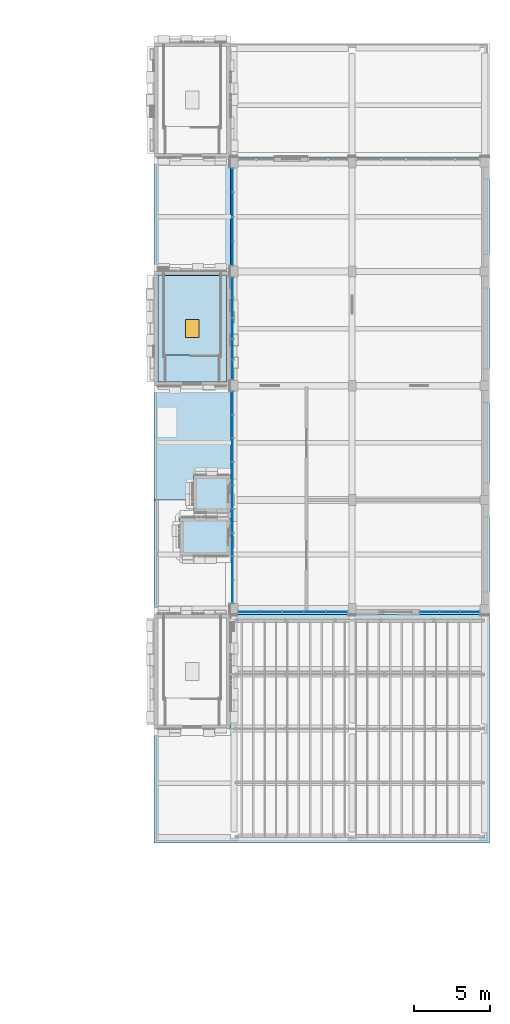
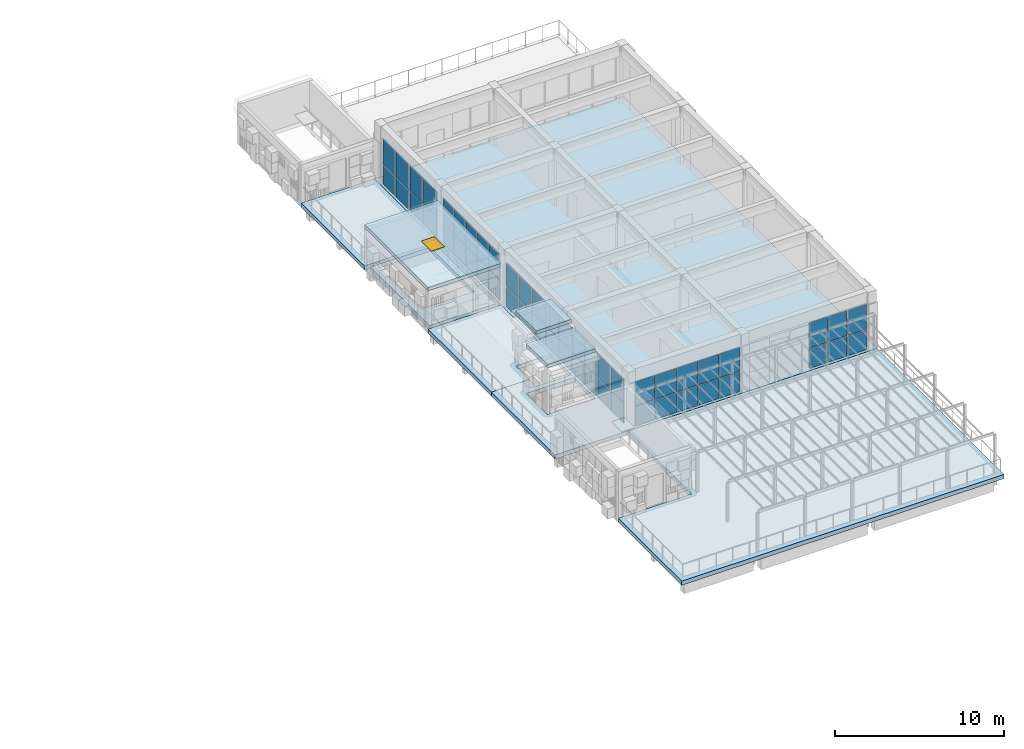
# One storey, part 16 of 26: 52 plates, 8 slabs, 1 window, 1 opening, 5 elements without a shape of their own.
"""IFC4 building model written with IfcOpenShell, lengths in metres."""

from ifc_helpers import new_model, si_unit, direction, frame, origin, origin_2d, place, context, subcontext, project, spatial, polyline, rectangle, outline, extrude, material, layer, layer_set, type_object, element, fill, aggregate, save


model = new_model("IFC4")

# Units and contexts
model_context = context("Model", 3, precision=1e-05, world=origin(), true_north=direction((0.0, 1.0)))
body_context = subcontext(model_context, "Body", "Model", "MODEL_VIEW")
ifc_project = project(units=[si_unit("LENGTHUNIT", "METRE"), si_unit("AREAUNIT", "SQUARE_METRE"), si_unit("VOLUMEUNIT", "CUBIC_METRE"), si_unit("PLANEANGLEUNIT", "RADIAN"), si_unit("MASSUNIT", "GRAM", prefix="KILO")], contexts=[model_context])

# Site, building, storey
site_placement = place(None, origin())
site = spatial("IfcSite", under=ifc_project, at=site_placement, CompositionType="ELEMENT")
building_placement = place(site_placement, origin())
building = spatial("IfcBuilding", under=site, at=building_placement, Name="Sun Court Science Centre", CompositionType="ELEMENT")
storey_placement = place(building_placement, frame((0.0, 0.0, 29.25)))
storey = spatial("IfcBuildingStorey", under=building, at=storey_placement, Name="L06", CompositionType="ELEMENT", Elevation=29.25)

# Slabs
ifc_material_1 = material(Name="Concrete C25/30", Category="concrete")
ifc_layer_1 = layer(ifc_material_1, 0.300048828125)
ifc_layer_set_1 = layer_set([ifc_layer_1], Name="Concrete C25/30")
slab_type_1 = type_object("IfcSlabType", Name="RC floor slab 300", PredefinedType="FLOOR", material=ifc_layer_set_1)
slab_1_placement = place(storey_placement, frame((0.0, 0.0, -0.300048828125)))
element("IfcSlab", 1, at=slab_1_placement, inside=storey, type_object=slab_type_1, Name="Floor slab L06", PredefinedType="FLOOR", context=body_context, shape_type="SweptSolid", body=[
    extrude(outline(polyline([(82.0, 51.0), (82.0, 43.5), (104.0, 43.5), (104.0, 73.5), (87.0, 73.5), (87.0, 52.612548828125), (87.00244140625, 52.612548828125), (87.00244140625, 50.1875), (84.577392578125, 50.1875), (84.577392578125, 51.0), (82.0, 51.0)]), holes=[polyline([(83.699951171875, 49.85009765625), (87.0, 49.85009765625), (87.0, 47.35009765625), (83.699951171875, 47.35009765625), (83.699951171875, 49.85009765625)])]), origin(), (0.0, 0.0, 1.0), 0.300048828125),
])
slab_2_placement = place(storey_placement, frame((0.0, 0.0, -0.300048828125)))
element("IfcSlab", 2, at=slab_2_placement, inside=storey, type_object=slab_type_1, Name="Stair SL3 landing slab L06", PredefinedType="FLOOR", context=body_context, shape_type="SweptSolid", body=[
    extrude(outline(polyline([(82.25, 65.75), (82.25, 58.75), (86.75, 58.75), (86.75, 65.75), (82.25, 65.75)]), holes=[polyline([(86.322998046875, 65.7451171875), (86.322998046875, 60.5029296875), (82.677001953125, 60.5029296875), (82.677001953125, 65.7451171875), (86.322998046875, 65.7451171875)])]), origin(), (0.0, 0.0, 1.0), 0.300048828125),
])
ifc_material_2 = material(Name="Concrete C25/30", Category="concrete")
ifc_layer_2 = layer(ifc_material_2, 0.25)
ifc_layer_set_2 = layer_set([ifc_layer_2], Name="Concrete C25/30")
slab_type_2 = type_object("IfcSlabType", Name="RC head-house roof 250", PredefinedType="ROOF", material=ifc_layer_set_2)
slab_3_placement = place(storey_placement, frame((0.0, 0.0, 3.35009765625)))
element("IfcSlab", 3, at=slab_3_placement, inside=storey, type_object=slab_type_2, Name="Roof of core LL1", PredefinedType="ROOF", context=body_context, shape_type="SweptSolid", body=[
    extrude(outline(polyline([(83.699951171875, 47.35009765625), (87.0, 47.35009765625), (87.0, 49.85009765625), (83.699951171875, 49.85009765625), (83.699951171875, 47.35009765625)])), origin(), (0.0, 0.0, 1.0), 0.25),
])
slab_4_placement = place(storey_placement, frame((0.0, 0.0, 3.75)))
element("IfcSlab", 4, at=slab_4_placement, inside=storey, type_object=slab_type_2, Name="Roof of core LL2", PredefinedType="ROOF", context=body_context, shape_type="SweptSolid", body=[
    extrude(outline(polyline([(84.577392578125, 50.1875), (87.00244140625, 50.1875), (87.00244140625, 52.612548828125), (84.577392578125, 52.612548828125), (84.577392578125, 50.1875)])), origin(), (0.0, 0.0, 1.0), 0.25),
])

# Slab, opening, window
slab_5_placement = place(storey_placement, frame((0.0, 0.0, 2.75)))
slab_5 = element("IfcSlab", 5, at=slab_5_placement, inside=storey, type_object=slab_type_2, Name="Roof of core SL3", PredefinedType="ROOF", context=body_context, shape_type="SweptSolid", body=[
    extrude(outline(polyline([(82.0, 58.5), (87.0, 58.5), (87.0, 66.0), (82.0, 66.0), (82.0, 58.5)])), origin(), (0.0, 0.0, 1.0), 0.25),
])
opening_placement = place(slab_5_placement, frame((84.5, 62.25, -0.010009765625)))
opening = element("IfcOpeningElement", 6, at=opening_placement, cuts=slab_5, Name="Opening WN-L06-003", PredefinedType="OPENING", context=body_context, shape_type="SweptSolid", body=[
    extrude(rectangle(XDim=0.89990234375, YDim=1.199951171875, at=origin_2d()), origin(), (0.0, 0.0, 1.0), 0.27001953125),
])
ifc_material_3 = material(Name="Aluminium frame, 6-12-6 glazing", Category="aluminium")
window_type = type_object("IfcWindowType", Name="Roof smoke vent 900 x 1200", PartitioningType="SINGLE_PANEL", PredefinedType="SKYLIGHT", material=ifc_material_3)
window_placement = place(opening_placement, frame((0.0, 0.0, 0.2099609375)))
window = element("IfcWindow", 7, at=window_placement, inside=storey, type_object=window_type, Name="Smoke vent head of stair SL3", OverallHeight=1.199951171875, OverallWidth=0.89990234375, PartitioningType="SINGLE_PANEL", PredefinedType="SKYLIGHT", context=body_context, shape_type="SweptSolid", body=[
    extrude(rectangle(XDim=0.89990234375, YDim=1.199951171875, at=origin_2d()), origin(), (0.0, 0.0, 1.0), 0.050048828125),
])
fill(opening, window)

# Slabs
ifc_material_4 = material(Name="Concrete C25/30", Category="concrete")
ifc_layer_3 = layer(ifc_material_4, 0.300048828125)
ifc_layer_set_3 = layer_set([ifc_layer_3], Name="Concrete C25/30")
slab_type_3 = type_object("IfcSlabType", Name="RC terrace slab 300", PredefinedType="ROOF", material=ifc_layer_set_3)
slab_6_placement = place(storey_placement, frame((0.0, 0.0, -0.300048828125)))
element("IfcSlab", 8, at=slab_6_placement, inside=storey, type_object=slab_type_3, Name="Roof terrace slab L06", PredefinedType="ROOF", context=body_context, shape_type="SweptSolid", body=[
    extrude(outline(polyline([(87.0, 52.612548828125), (87.0, 58.5), (82.0, 58.5), (82.0, 51.0), (84.577392578125, 51.0), (84.577392578125, 52.612548828125), (87.0, 52.612548828125)])), origin(), (0.0, 0.0, 1.0), 0.300048828125),
])
slab_7_placement = place(storey_placement, frame((0.0, 0.0, -0.300048828125)))
element("IfcSlab", 9, at=slab_7_placement, inside=storey, type_object=slab_type_3, Name="Roof terrace slab L06", PredefinedType="ROOF", context=body_context, shape_type="SweptSolid", body=[
    extrude(outline(polyline([(87.0, 66.0), (87.0, 73.5), (82.0, 73.5), (82.0, 66.0), (87.0, 66.0)])), origin(), (0.0, 0.0, 1.0), 0.300048828125),
])
slab_8_placement = place(storey_placement, frame((0.0, 0.0, -0.300048828125)))
element("IfcSlab", 10, at=slab_8_placement, inside=storey, type_object=slab_type_3, Name="Roof terrace slab L06", PredefinedType="ROOF", context=body_context, shape_type="SweptSolid", body=[
    extrude(outline(polyline([(82.0, 36.0), (82.0, 28.5), (104.0, 28.5), (104.0, 43.5), (87.0, 43.5), (87.0, 36.0), (82.0, 36.0)])), origin(), (0.0, 0.0, 1.0), 0.300048828125),
])

# Curtain wall, plates
ifc_material_5 = material(Name="Aluminium EN AW-6063 T6", Category="aluminium")
curtain_wall_type = type_object("IfcCurtainWallType", Name="Laboratory tall bay curtain wall 1500", PredefinedType="NOTDEFINED", material=ifc_material_5)
curtain_wall_1_placement = place(storey_placement, origin())
curtain_wall_1 = element("IfcCurtainWall", 11, at=curtain_wall_1_placement, inside=storey, type_object=curtain_wall_type, Name="Curtain wall V4 PW L06 01", PredefinedType="NOTDEFINED")
ifc_material_6 = material(Name="Solar-control glass", Category="glass")
ifc_layer_4 = layer(ifc_material_6, 0.028076171875)
ifc_layer_set_4 = layer_set([ifc_layer_4], Name="Solar-control glass")
plate_type = type_object("IfcPlateType", Name="Solar-control glazing panel 8-12-8", PredefinedType="CURTAIN_PANEL", material=ifc_layer_set_4)
plate_1_placement = place(storey_placement, frame((87.14990234375, 44.989990234375, 0.06005859375), z_axis=(0.0, 0.0, 1.0), x_axis=(0.0, 1.0, 0.0)))
plate_1 = element("IfcPlate", 12, at=plate_1_placement, type_object=plate_type, Name="CW2-78 panel 1.1", PredefinedType="CURTAIN_PANEL", context=body_context, shape_type="SweptSolid", body=[
    extrude(rectangle(XDim=1.4599609375, YDim=0.028076171875, at=origin_2d()), origin(), (0.0, 0.0, 1.0), 1.409912109375),
])
plate_2_placement = place(storey_placement, frame((87.14990234375, 46.52490234375, 0.06005859375), z_axis=(0.0, 0.0, 1.0), x_axis=(0.0, 1.0, 0.0)))
plate_2 = element("IfcPlate", 13, at=plate_2_placement, type_object=plate_type, Name="CW2-78 panel 2.1", PredefinedType="CURTAIN_PANEL", context=body_context, shape_type="SweptSolid", body=[
    extrude(rectangle(XDim=1.489990234375, YDim=0.028076171875, at=origin_2d()), origin(), (0.0, 0.0, 1.0), 1.409912109375),
])
plate_3_placement = place(storey_placement, frame((87.14990234375, 48.074951171875, 0.06005859375), z_axis=(0.0, 0.0, 1.0), x_axis=(0.0, 1.0, 0.0)))
plate_3 = element("IfcPlate", 14, at=plate_3_placement, type_object=plate_type, Name="CW2-78 panel 3.1", PredefinedType="CURTAIN_PANEL", context=body_context, shape_type="SweptSolid", body=[
    extrude(rectangle(XDim=1.489990234375, YDim=0.028076171875, at=origin_2d()), origin(), (0.0, 0.0, 1.0), 1.409912109375),
])
plate_4_placement = place(storey_placement, frame((87.14990234375, 49.625, 0.06005859375), z_axis=(0.0, 0.0, 1.0), x_axis=(0.0, 1.0, 0.0)))
plate_4 = element("IfcPlate", 15, at=plate_4_placement, type_object=plate_type, Name="CW2-78 panel 4.1", PredefinedType="CURTAIN_PANEL", context=body_context, shape_type="SweptSolid", body=[
    extrude(rectangle(XDim=1.489990234375, YDim=0.028076171875, at=origin_2d()), origin(), (0.0, 0.0, 1.0), 1.409912109375),
])
plate_5_placement = place(storey_placement, frame((87.14990234375, 51.175048828125, 0.06005859375), z_axis=(0.0, 0.0, 1.0), x_axis=(0.0, 1.0, 0.0)))
plate_5 = element("IfcPlate", 16, at=plate_5_placement, type_object=plate_type, Name="CW2-78 panel 5.1", PredefinedType="CURTAIN_PANEL", context=body_context, shape_type="SweptSolid", body=[
    extrude(rectangle(XDim=1.489990234375, YDim=0.028076171875, at=origin_2d()), origin(), (0.0, 0.0, 1.0), 1.409912109375),
])
plate_6_placement = place(storey_placement, frame((87.14990234375, 52.72509765625, 0.06005859375), z_axis=(0.0, 0.0, 1.0), x_axis=(0.0, 1.0, 0.0)))
plate_6 = element("IfcPlate", 17, at=plate_6_placement, type_object=plate_type, Name="CW2-78 panel 6.1", PredefinedType="CURTAIN_PANEL", context=body_context, shape_type="SweptSolid", body=[
    extrude(rectangle(XDim=1.489990234375, YDim=0.028076171875, at=origin_2d()), origin(), (0.0, 0.0, 1.0), 1.409912109375),
])
plate_7_placement = place(storey_placement, frame((87.14990234375, 54.27490234375, 0.06005859375), z_axis=(0.0, 0.0, 1.0), x_axis=(0.0, 1.0, 0.0)))
plate_7 = element("IfcPlate", 18, at=plate_7_placement, type_object=plate_type, Name="CW2-78 panel 7.1", PredefinedType="CURTAIN_PANEL", context=body_context, shape_type="SweptSolid", body=[
    extrude(rectangle(XDim=1.489990234375, YDim=0.028076171875, at=origin_2d()), origin(), (0.0, 0.0, 1.0), 1.409912109375),
])
plate_8_placement = place(storey_placement, frame((87.14990234375, 55.824951171875, 0.06005859375), z_axis=(0.0, 0.0, 1.0), x_axis=(0.0, 1.0, 0.0)))
plate_8 = element("IfcPlate", 19, at=plate_8_placement, type_object=plate_type, Name="CW2-78 panel 8.1", PredefinedType="CURTAIN_PANEL", context=body_context, shape_type="SweptSolid", body=[
    extrude(rectangle(XDim=1.489990234375, YDim=0.028076171875, at=origin_2d()), origin(), (0.0, 0.0, 1.0), 1.409912109375),
])
plate_9_placement = place(storey_placement, frame((87.14990234375, 57.360107421875, 0.06005859375), z_axis=(0.0, 0.0, 1.0), x_axis=(0.0, 1.0, 0.0)))
plate_9 = element("IfcPlate", 20, at=plate_9_placement, type_object=plate_type, Name="CW2-78 panel 9.1", PredefinedType="CURTAIN_PANEL", context=body_context, shape_type="SweptSolid", body=[
    extrude(rectangle(XDim=1.4599609375, YDim=0.028076171875, at=origin_2d()), origin(), (0.0, 0.0, 1.0), 1.409912109375),
])
plate_10_placement = place(storey_placement, frame((87.14990234375, 44.989990234375, 1.530029296875), z_axis=(0.0, 0.0, 1.0), x_axis=(0.0, 1.0, 0.0)))
plate_10 = element("IfcPlate", 21, at=plate_10_placement, type_object=plate_type, Name="CW2-78 panel 1.2", PredefinedType="CURTAIN_PANEL", context=body_context, shape_type="SweptSolid", body=[
    extrude(rectangle(XDim=1.4599609375, YDim=0.028076171875, at=origin_2d()), origin(), (0.0, 0.0, 1.0), 1.68994140625),
])
plate_11_placement = place(storey_placement, frame((87.14990234375, 46.52490234375, 1.530029296875), z_axis=(0.0, 0.0, 1.0), x_axis=(0.0, 1.0, 0.0)))
plate_11 = element("IfcPlate", 22, at=plate_11_placement, type_object=plate_type, Name="CW2-78 panel 2.2", PredefinedType="CURTAIN_PANEL", context=body_context, shape_type="SweptSolid", body=[
    extrude(rectangle(XDim=1.489990234375, YDim=0.028076171875, at=origin_2d()), origin(), (0.0, 0.0, 1.0), 1.68994140625),
])
plate_12_placement = place(storey_placement, frame((87.14990234375, 48.074951171875, 1.530029296875), z_axis=(0.0, 0.0, 1.0), x_axis=(0.0, 1.0, 0.0)))
plate_12 = element("IfcPlate", 23, at=plate_12_placement, type_object=plate_type, Name="CW2-78 panel 3.2", PredefinedType="CURTAIN_PANEL", context=body_context, shape_type="SweptSolid", body=[
    extrude(rectangle(XDim=1.489990234375, YDim=0.028076171875, at=origin_2d()), origin(), (0.0, 0.0, 1.0), 1.68994140625),
])
plate_13_placement = place(storey_placement, frame((87.14990234375, 49.625, 1.530029296875), z_axis=(0.0, 0.0, 1.0), x_axis=(0.0, 1.0, 0.0)))
plate_13 = element("IfcPlate", 24, at=plate_13_placement, type_object=plate_type, Name="CW2-78 panel 4.2", PredefinedType="CURTAIN_PANEL", context=body_context, shape_type="SweptSolid", body=[
    extrude(rectangle(XDim=1.489990234375, YDim=0.028076171875, at=origin_2d()), origin(), (0.0, 0.0, 1.0), 1.68994140625),
])
plate_14_placement = place(storey_placement, frame((87.14990234375, 51.175048828125, 1.530029296875), z_axis=(0.0, 0.0, 1.0), x_axis=(0.0, 1.0, 0.0)))
plate_14 = element("IfcPlate", 25, at=plate_14_placement, type_object=plate_type, Name="CW2-78 panel 5.2", PredefinedType="CURTAIN_PANEL", context=body_context, shape_type="SweptSolid", body=[
    extrude(rectangle(XDim=1.489990234375, YDim=0.028076171875, at=origin_2d()), origin(), (0.0, 0.0, 1.0), 1.68994140625),
])
plate_15_placement = place(storey_placement, frame((87.14990234375, 52.72509765625, 1.530029296875), z_axis=(0.0, 0.0, 1.0), x_axis=(0.0, 1.0, 0.0)))
plate_15 = element("IfcPlate", 26, at=plate_15_placement, type_object=plate_type, Name="CW2-78 panel 6.2", PredefinedType="CURTAIN_PANEL", context=body_context, shape_type="SweptSolid", body=[
    extrude(rectangle(XDim=1.489990234375, YDim=0.028076171875, at=origin_2d()), origin(), (0.0, 0.0, 1.0), 1.68994140625),
])
plate_16_placement = place(storey_placement, frame((87.14990234375, 54.27490234375, 1.530029296875), z_axis=(0.0, 0.0, 1.0), x_axis=(0.0, 1.0, 0.0)))
plate_16 = element("IfcPlate", 27, at=plate_16_placement, type_object=plate_type, Name="CW2-78 panel 7.2", PredefinedType="CURTAIN_PANEL", context=body_context, shape_type="SweptSolid", body=[
    extrude(rectangle(XDim=1.489990234375, YDim=0.028076171875, at=origin_2d()), origin(), (0.0, 0.0, 1.0), 1.68994140625),
])
plate_17_placement = place(storey_placement, frame((87.14990234375, 55.824951171875, 1.530029296875), z_axis=(0.0, 0.0, 1.0), x_axis=(0.0, 1.0, 0.0)))
plate_17 = element("IfcPlate", 28, at=plate_17_placement, type_object=plate_type, Name="CW2-78 panel 8.2", PredefinedType="CURTAIN_PANEL", context=body_context, shape_type="SweptSolid", body=[
    extrude(rectangle(XDim=1.489990234375, YDim=0.028076171875, at=origin_2d()), origin(), (0.0, 0.0, 1.0), 1.68994140625),
])
plate_18_placement = place(storey_placement, frame((87.14990234375, 57.360107421875, 1.530029296875), z_axis=(0.0, 0.0, 1.0), x_axis=(0.0, 1.0, 0.0)))
plate_18 = element("IfcPlate", 29, at=plate_18_placement, type_object=plate_type, Name="CW2-78 panel 9.2", PredefinedType="CURTAIN_PANEL", context=body_context, shape_type="SweptSolid", body=[
    extrude(rectangle(XDim=1.4599609375, YDim=0.028076171875, at=origin_2d()), origin(), (0.0, 0.0, 1.0), 1.68994140625),
])
aggregate(curtain_wall_1, [plate_1, plate_2, plate_3, plate_4, plate_5, plate_6, plate_7, plate_8, plate_9, plate_10, plate_11, plate_12, plate_13, plate_14, plate_15, plate_16, plate_17, plate_18])

curtain_wall_2_placement = place(storey_placement, origin())
curtain_wall_2 = element("IfcCurtainWall", 30, at=curtain_wall_2_placement, inside=storey, type_object=curtain_wall_type, Name="Curtain wall V4 PW L06 02", PredefinedType="NOTDEFINED")
plate_19_placement = place(storey_placement, frame((87.14990234375, 59.544921875, 0.06005859375), z_axis=(0.0, 0.0, 1.0), x_axis=(0.0, 1.0, 0.0)))
plate_19 = element("IfcPlate", 31, at=plate_19_placement, type_object=plate_type, Name="CW2-79 panel 1.1", PredefinedType="CURTAIN_PANEL", context=body_context, shape_type="SweptSolid", body=[
    extrude(rectangle(XDim=1.27001953125, YDim=0.028076171875, at=origin_2d()), origin(), (0.0, 0.0, 1.0), 1.409912109375),
])
plate_20_placement = place(storey_placement, frame((87.14990234375, 60.889892578125, 0.06005859375), z_axis=(0.0, 0.0, 1.0), x_axis=(0.0, 1.0, 0.0)))
plate_20 = element("IfcPlate", 32, at=plate_20_placement, type_object=plate_type, Name="CW2-79 panel 2.1", PredefinedType="CURTAIN_PANEL", context=body_context, shape_type="SweptSolid", body=[
    extrude(rectangle(XDim=1.300048828125, YDim=0.028076171875, at=origin_2d()), origin(), (0.0, 0.0, 1.0), 1.409912109375),
])
plate_21_placement = place(storey_placement, frame((87.14990234375, 62.25, 0.06005859375), z_axis=(0.0, 0.0, 1.0), x_axis=(0.0, 1.0, 0.0)))
plate_21 = element("IfcPlate", 33, at=plate_21_placement, type_object=plate_type, Name="CW2-79 panel 3.1", PredefinedType="CURTAIN_PANEL", context=body_context, shape_type="SweptSolid", body=[
    extrude(rectangle(XDim=1.300048828125, YDim=0.028076171875, at=origin_2d()), origin(), (0.0, 0.0, 1.0), 1.409912109375),
])
plate_22_placement = place(storey_placement, frame((87.14990234375, 63.610107421875, 0.06005859375), z_axis=(0.0, 0.0, 1.0), x_axis=(0.0, 1.0, 0.0)))
plate_22 = element("IfcPlate", 34, at=plate_22_placement, type_object=plate_type, Name="CW2-79 panel 4.1", PredefinedType="CURTAIN_PANEL", context=body_context, shape_type="SweptSolid", body=[
    extrude(rectangle(XDim=1.300048828125, YDim=0.028076171875, at=origin_2d()), origin(), (0.0, 0.0, 1.0), 1.409912109375),
])
plate_23_placement = place(storey_placement, frame((87.14990234375, 64.955078125, 0.06005859375), z_axis=(0.0, 0.0, 1.0), x_axis=(0.0, 1.0, 0.0)))
plate_23 = element("IfcPlate", 35, at=plate_23_placement, type_object=plate_type, Name="CW2-79 panel 5.1", PredefinedType="CURTAIN_PANEL", context=body_context, shape_type="SweptSolid", body=[
    extrude(rectangle(XDim=1.27001953125, YDim=0.028076171875, at=origin_2d()), origin(), (0.0, 0.0, 1.0), 1.409912109375),
])
plate_24_placement = place(storey_placement, frame((87.14990234375, 59.544921875, 1.530029296875), z_axis=(0.0, 0.0, 1.0), x_axis=(0.0, 1.0, 0.0)))
plate_24 = element("IfcPlate", 36, at=plate_24_placement, type_object=plate_type, Name="CW2-79 panel 1.2", PredefinedType="CURTAIN_PANEL", context=body_context, shape_type="SweptSolid", body=[
    extrude(rectangle(XDim=1.27001953125, YDim=0.028076171875, at=origin_2d()), origin(), (0.0, 0.0, 1.0), 1.81005859375),
])
plate_25_placement = place(storey_placement, frame((87.14990234375, 60.889892578125, 1.530029296875), z_axis=(0.0, 0.0, 1.0), x_axis=(0.0, 1.0, 0.0)))
plate_25 = element("IfcPlate", 37, at=plate_25_placement, type_object=plate_type, Name="CW2-79 panel 2.2", PredefinedType="CURTAIN_PANEL", context=body_context, shape_type="SweptSolid", body=[
    extrude(rectangle(XDim=1.300048828125, YDim=0.028076171875, at=origin_2d()), origin(), (0.0, 0.0, 1.0), 1.81005859375),
])
plate_26_placement = place(storey_placement, frame((87.14990234375, 62.25, 1.530029296875), z_axis=(0.0, 0.0, 1.0), x_axis=(0.0, 1.0, 0.0)))
plate_26 = element("IfcPlate", 38, at=plate_26_placement, type_object=plate_type, Name="CW2-79 panel 3.2", PredefinedType="CURTAIN_PANEL", context=body_context, shape_type="SweptSolid", body=[
    extrude(rectangle(XDim=1.300048828125, YDim=0.028076171875, at=origin_2d()), origin(), (0.0, 0.0, 1.0), 1.81005859375),
])
plate_27_placement = place(storey_placement, frame((87.14990234375, 63.610107421875, 1.530029296875), z_axis=(0.0, 0.0, 1.0), x_axis=(0.0, 1.0, 0.0)))
plate_27 = element("IfcPlate", 39, at=plate_27_placement, type_object=plate_type, Name="CW2-79 panel 4.2", PredefinedType="CURTAIN_PANEL", context=body_context, shape_type="SweptSolid", body=[
    extrude(rectangle(XDim=1.300048828125, YDim=0.028076171875, at=origin_2d()), origin(), (0.0, 0.0, 1.0), 1.81005859375),
])
plate_28_placement = place(storey_placement, frame((87.14990234375, 64.955078125, 1.530029296875), z_axis=(0.0, 0.0, 1.0), x_axis=(0.0, 1.0, 0.0)))
plate_28 = element("IfcPlate", 40, at=plate_28_placement, type_object=plate_type, Name="CW2-79 panel 5.2", PredefinedType="CURTAIN_PANEL", context=body_context, shape_type="SweptSolid", body=[
    extrude(rectangle(XDim=1.27001953125, YDim=0.028076171875, at=origin_2d()), origin(), (0.0, 0.0, 1.0), 1.81005859375),
])
aggregate(curtain_wall_2, [plate_19, plate_20, plate_21, plate_22, plate_23, plate_24, plate_25, plate_26, plate_27, plate_28])

curtain_wall_3_placement = place(storey_placement, origin())
curtain_wall_3 = element("IfcCurtainWall", 41, at=curtain_wall_3_placement, inside=storey, type_object=curtain_wall_type, Name="Curtain wall V4 PW L06 03", PredefinedType="NOTDEFINED")
plate_29_placement = place(storey_placement, frame((87.14990234375, 67.171142578125, 0.06005859375), z_axis=(0.0, 0.0, 1.0), x_axis=(0.0, 1.0, 0.0)))
plate_29 = element("IfcPlate", 42, at=plate_29_placement, type_object=plate_type, Name="CW2-80 panel 1.1", PredefinedType="CURTAIN_PANEL", context=body_context, shape_type="SweptSolid", body=[
    extrude(rectangle(XDim=1.5224609375, YDim=0.028076171875, at=origin_2d()), origin(), (0.0, 0.0, 1.0), 1.409912109375),
])
plate_30_placement = place(storey_placement, frame((87.14990234375, 68.768798828125, 0.06005859375), z_axis=(0.0, 0.0, 1.0), x_axis=(0.0, 1.0, 0.0)))
plate_30 = element("IfcPlate", 43, at=plate_30_placement, type_object=plate_type, Name="CW2-80 panel 2.1", PredefinedType="CURTAIN_PANEL", context=body_context, shape_type="SweptSolid", body=[
    extrude(rectangle(XDim=1.552490234375, YDim=0.028076171875, at=origin_2d()), origin(), (0.0, 0.0, 1.0), 1.409912109375),
])
plate_31_placement = place(storey_placement, frame((87.14990234375, 70.38134765625, 0.06005859375), z_axis=(0.0, 0.0, 1.0), x_axis=(0.0, 1.0, 0.0)))
plate_31 = element("IfcPlate", 44, at=plate_31_placement, type_object=plate_type, Name="CW2-80 panel 3.1", PredefinedType="CURTAIN_PANEL", context=body_context, shape_type="SweptSolid", body=[
    extrude(rectangle(XDim=1.552490234375, YDim=0.028076171875, at=origin_2d()), origin(), (0.0, 0.0, 1.0), 1.409912109375),
])
plate_32_placement = place(storey_placement, frame((87.14990234375, 71.978759765625, 0.06005859375), z_axis=(0.0, 0.0, 1.0), x_axis=(0.0, 1.0, 0.0)))
plate_32 = element("IfcPlate", 45, at=plate_32_placement, type_object=plate_type, Name="CW2-80 panel 4.1", PredefinedType="CURTAIN_PANEL", context=body_context, shape_type="SweptSolid", body=[
    extrude(rectangle(XDim=1.5224609375, YDim=0.028076171875, at=origin_2d()), origin(), (0.0, 0.0, 1.0), 1.409912109375),
])
plate_33_placement = place(storey_placement, frame((87.14990234375, 67.171142578125, 1.530029296875), z_axis=(0.0, 0.0, 1.0), x_axis=(0.0, 1.0, 0.0)))
plate_33 = element("IfcPlate", 46, at=plate_33_placement, type_object=plate_type, Name="CW2-80 panel 1.2", PredefinedType="CURTAIN_PANEL", context=body_context, shape_type="SweptSolid", body=[
    extrude(rectangle(XDim=1.5224609375, YDim=0.028076171875, at=origin_2d()), origin(), (0.0, 0.0, 1.0), 1.81005859375),
])
plate_34_placement = place(storey_placement, frame((87.14990234375, 68.768798828125, 1.530029296875), z_axis=(0.0, 0.0, 1.0), x_axis=(0.0, 1.0, 0.0)))
plate_34 = element("IfcPlate", 47, at=plate_34_placement, type_object=plate_type, Name="CW2-80 panel 2.2", PredefinedType="CURTAIN_PANEL", context=body_context, shape_type="SweptSolid", body=[
    extrude(rectangle(XDim=1.552490234375, YDim=0.028076171875, at=origin_2d()), origin(), (0.0, 0.0, 1.0), 1.81005859375),
])
plate_35_placement = place(storey_placement, frame((87.14990234375, 70.38134765625, 1.530029296875), z_axis=(0.0, 0.0, 1.0), x_axis=(0.0, 1.0, 0.0)))
plate_35 = element("IfcPlate", 48, at=plate_35_placement, type_object=plate_type, Name="CW2-80 panel 3.2", PredefinedType="CURTAIN_PANEL", context=body_context, shape_type="SweptSolid", body=[
    extrude(rectangle(XDim=1.552490234375, YDim=0.028076171875, at=origin_2d()), origin(), (0.0, 0.0, 1.0), 1.81005859375),
])
plate_36_placement = place(storey_placement, frame((87.14990234375, 71.978759765625, 1.530029296875), z_axis=(0.0, 0.0, 1.0), x_axis=(0.0, 1.0, 0.0)))
plate_36 = element("IfcPlate", 49, at=plate_36_placement, type_object=plate_type, Name="CW2-80 panel 4.2", PredefinedType="CURTAIN_PANEL", context=body_context, shape_type="SweptSolid", body=[
    extrude(rectangle(XDim=1.5224609375, YDim=0.028076171875, at=origin_2d()), origin(), (0.0, 0.0, 1.0), 1.81005859375),
])
aggregate(curtain_wall_3, [plate_29, plate_30, plate_31, plate_32, plate_33, plate_34, plate_35, plate_36])

curtain_wall_4_placement = place(storey_placement, origin())
curtain_wall_4 = element("IfcCurtainWall", 50, at=curtain_wall_4_placement, inside=storey, type_object=curtain_wall_type, Name="Curtain wall V4 PS L06 01", PredefinedType="NOTDEFINED")
plate_37_placement = place(storey_placement, frame((100.081787109375, 43.64990234375, 0.06005859375), z_axis=(0.0, 0.0, 1.0), x_axis=(-1.0, 0.0, 0.0)))
plate_37 = element("IfcPlate", 51, at=plate_37_placement, type_object=plate_type, Name="CW2-84 panel 3.1", PredefinedType="CURTAIN_PANEL", context=body_context, shape_type="SweptSolid", body=[
    extrude(rectangle(XDim=1.243408203125, YDim=0.028076171875, at=origin_2d()), origin(), (0.0, 0.0, 1.0), 1.409912109375),
])
plate_38_placement = place(storey_placement, frame((101.39990234375, 43.64990234375, 0.06005859375), z_axis=(0.0, 0.0, 1.0), x_axis=(-1.0, 0.0, 0.0)))
plate_38 = element("IfcPlate", 52, at=plate_38_placement, type_object=plate_type, Name="CW2-84 panel 2.1", PredefinedType="CURTAIN_PANEL", context=body_context, shape_type="SweptSolid", body=[
    extrude(rectangle(XDim=1.2734375, YDim=0.028076171875, at=origin_2d()), origin(), (0.0, 0.0, 1.0), 1.409912109375),
])
plate_39_placement = place(storey_placement, frame((102.71826171875, 43.64990234375, 0.06005859375), z_axis=(0.0, 0.0, 1.0), x_axis=(-1.0, 0.0, 0.0)))
plate_39 = element("IfcPlate", 53, at=plate_39_placement, type_object=plate_type, Name="CW2-84 panel 1.1", PredefinedType="CURTAIN_PANEL", context=body_context, shape_type="SweptSolid", body=[
    extrude(rectangle(XDim=1.243408203125, YDim=0.028076171875, at=origin_2d()), origin(), (0.0, 0.0, 1.0), 1.409912109375),
])
plate_40_placement = place(storey_placement, frame((100.081787109375, 43.64990234375, 1.530029296875), z_axis=(0.0, 0.0, 1.0), x_axis=(-1.0, 0.0, 0.0)))
plate_40 = element("IfcPlate", 54, at=plate_40_placement, type_object=plate_type, Name="CW2-84 panel 3.2", PredefinedType="CURTAIN_PANEL", context=body_context, shape_type="SweptSolid", body=[
    extrude(rectangle(XDim=1.243408203125, YDim=0.028076171875, at=origin_2d()), origin(), (0.0, 0.0, 1.0), 1.81005859375),
])
plate_41_placement = place(storey_placement, frame((101.39990234375, 43.64990234375, 1.530029296875), z_axis=(0.0, 0.0, 1.0), x_axis=(-1.0, 0.0, 0.0)))
plate_41 = element("IfcPlate", 55, at=plate_41_placement, type_object=plate_type, Name="CW2-84 panel 2.2", PredefinedType="CURTAIN_PANEL", context=body_context, shape_type="SweptSolid", body=[
    extrude(rectangle(XDim=1.2734375, YDim=0.028076171875, at=origin_2d()), origin(), (0.0, 0.0, 1.0), 1.81005859375),
])
plate_42_placement = place(storey_placement, frame((102.71826171875, 43.64990234375, 1.530029296875), z_axis=(0.0, 0.0, 1.0), x_axis=(-1.0, 0.0, 0.0)))
plate_42 = element("IfcPlate", 56, at=plate_42_placement, type_object=plate_type, Name="CW2-84 panel 1.2", PredefinedType="CURTAIN_PANEL", context=body_context, shape_type="SweptSolid", body=[
    extrude(rectangle(XDim=1.243408203125, YDim=0.028076171875, at=origin_2d()), origin(), (0.0, 0.0, 1.0), 1.81005859375),
])
aggregate(curtain_wall_4, [plate_37, plate_38, plate_39, plate_40, plate_41, plate_42])

curtain_wall_5_placement = place(storey_placement, origin())
curtain_wall_5 = element("IfcCurtainWall", 57, at=curtain_wall_5_placement, inside=storey, type_object=curtain_wall_type, Name="Curtain wall V4 PS L06 02", PredefinedType="NOTDEFINED")
plate_43_placement = place(storey_placement, frame((88.239990234375, 43.64990234375, 0.06005859375), z_axis=(0.0, 0.0, 1.0), x_axis=(-1.0, 0.0, 0.0)))
plate_43 = element("IfcPlate", 58, at=plate_43_placement, type_object=plate_type, Name="CW2-85 panel 5.1", PredefinedType="CURTAIN_PANEL", context=body_context, shape_type="SweptSolid", body=[
    extrude(rectangle(XDim=1.360107421875, YDim=0.028076171875, at=origin_2d()), origin(), (0.0, 0.0, 1.0), 1.409912109375),
])
plate_44_placement = place(storey_placement, frame((89.675048828125, 43.64990234375, 0.06005859375), z_axis=(0.0, 0.0, 1.0), x_axis=(-1.0, 0.0, 0.0)))
plate_44 = element("IfcPlate", 59, at=plate_44_placement, type_object=plate_type, Name="CW2-85 panel 4.1", PredefinedType="CURTAIN_PANEL", context=body_context, shape_type="SweptSolid", body=[
    extrude(rectangle(XDim=1.389892578125, YDim=0.028076171875, at=origin_2d()), origin(), (0.0, 0.0, 1.0), 1.409912109375),
])
plate_45_placement = place(storey_placement, frame((91.125, 43.64990234375, 0.06005859375), z_axis=(0.0, 0.0, 1.0), x_axis=(-1.0, 0.0, 0.0)))
plate_45 = element("IfcPlate", 60, at=plate_45_placement, type_object=plate_type, Name="CW2-85 panel 3.1", PredefinedType="CURTAIN_PANEL", context=body_context, shape_type="SweptSolid", body=[
    extrude(rectangle(XDim=1.389892578125, YDim=0.028076171875, at=origin_2d()), origin(), (0.0, 0.0, 1.0), 1.409912109375),
])
plate_46_placement = place(storey_placement, frame((92.574951171875, 43.64990234375, 0.06005859375), z_axis=(0.0, 0.0, 1.0), x_axis=(-1.0, 0.0, 0.0)))
plate_46 = element("IfcPlate", 61, at=plate_46_placement, type_object=plate_type, Name="CW2-85 panel 2.1", PredefinedType="CURTAIN_PANEL", context=body_context, shape_type="SweptSolid", body=[
    extrude(rectangle(XDim=1.389892578125, YDim=0.028076171875, at=origin_2d()), origin(), (0.0, 0.0, 1.0), 1.409912109375),
])
plate_47_placement = place(storey_placement, frame((94.010009765625, 43.64990234375, 0.06005859375), z_axis=(0.0, 0.0, 1.0), x_axis=(-1.0, 0.0, 0.0)))
plate_47 = element("IfcPlate", 62, at=plate_47_placement, type_object=plate_type, Name="CW2-85 panel 1.1", PredefinedType="CURTAIN_PANEL", context=body_context, shape_type="SweptSolid", body=[
    extrude(rectangle(XDim=1.360107421875, YDim=0.028076171875, at=origin_2d()), origin(), (0.0, 0.0, 1.0), 1.409912109375),
])
plate_48_placement = place(storey_placement, frame((88.239990234375, 43.64990234375, 1.530029296875), z_axis=(0.0, 0.0, 1.0), x_axis=(-1.0, 0.0, 0.0)))
plate_48 = element("IfcPlate", 63, at=plate_48_placement, type_object=plate_type, Name="CW2-85 panel 5.2", PredefinedType="CURTAIN_PANEL", context=body_context, shape_type="SweptSolid", body=[
    extrude(rectangle(XDim=1.360107421875, YDim=0.028076171875, at=origin_2d()), origin(), (0.0, 0.0, 1.0), 1.7099609375),
])
plate_49_placement = place(storey_placement, frame((89.675048828125, 43.64990234375, 1.530029296875), z_axis=(0.0, 0.0, 1.0), x_axis=(-1.0, 0.0, 0.0)))
plate_49 = element("IfcPlate", 64, at=plate_49_placement, type_object=plate_type, Name="CW2-85 panel 4.2", PredefinedType="CURTAIN_PANEL", context=body_context, shape_type="SweptSolid", body=[
    extrude(rectangle(XDim=1.389892578125, YDim=0.028076171875, at=origin_2d()), origin(), (0.0, 0.0, 1.0), 1.7099609375),
])
plate_50_placement = place(storey_placement, frame((91.125, 43.64990234375, 1.530029296875), z_axis=(0.0, 0.0, 1.0), x_axis=(-1.0, 0.0, 0.0)))
plate_50 = element("IfcPlate", 65, at=plate_50_placement, type_object=plate_type, Name="CW2-85 panel 3.2", PredefinedType="CURTAIN_PANEL", context=body_context, shape_type="SweptSolid", body=[
    extrude(rectangle(XDim=1.389892578125, YDim=0.028076171875, at=origin_2d()), origin(), (0.0, 0.0, 1.0), 1.7099609375),
])
plate_51_placement = place(storey_placement, frame((92.574951171875, 43.64990234375, 1.530029296875), z_axis=(0.0, 0.0, 1.0), x_axis=(-1.0, 0.0, 0.0)))
plate_51 = element("IfcPlate", 66, at=plate_51_placement, type_object=plate_type, Name="CW2-85 panel 2.2", PredefinedType="CURTAIN_PANEL", context=body_context, shape_type="SweptSolid", body=[
    extrude(rectangle(XDim=1.389892578125, YDim=0.028076171875, at=origin_2d()), origin(), (0.0, 0.0, 1.0), 1.7099609375),
])
plate_52_placement = place(storey_placement, frame((94.010009765625, 43.64990234375, 1.530029296875), z_axis=(0.0, 0.0, 1.0), x_axis=(-1.0, 0.0, 0.0)))
plate_52 = element("IfcPlate", 67, at=plate_52_placement, type_object=plate_type, Name="CW2-85 panel 1.2", PredefinedType="CURTAIN_PANEL", context=body_context, shape_type="SweptSolid", body=[
    extrude(rectangle(XDim=1.360107421875, YDim=0.028076171875, at=origin_2d()), origin(), (0.0, 0.0, 1.0), 1.7099609375),
])
aggregate(curtain_wall_5, [plate_43, plate_44, plate_45, plate_46, plate_47, plate_48, plate_49, plate_50, plate_51, plate_52])

save(model, "model.ifc")
